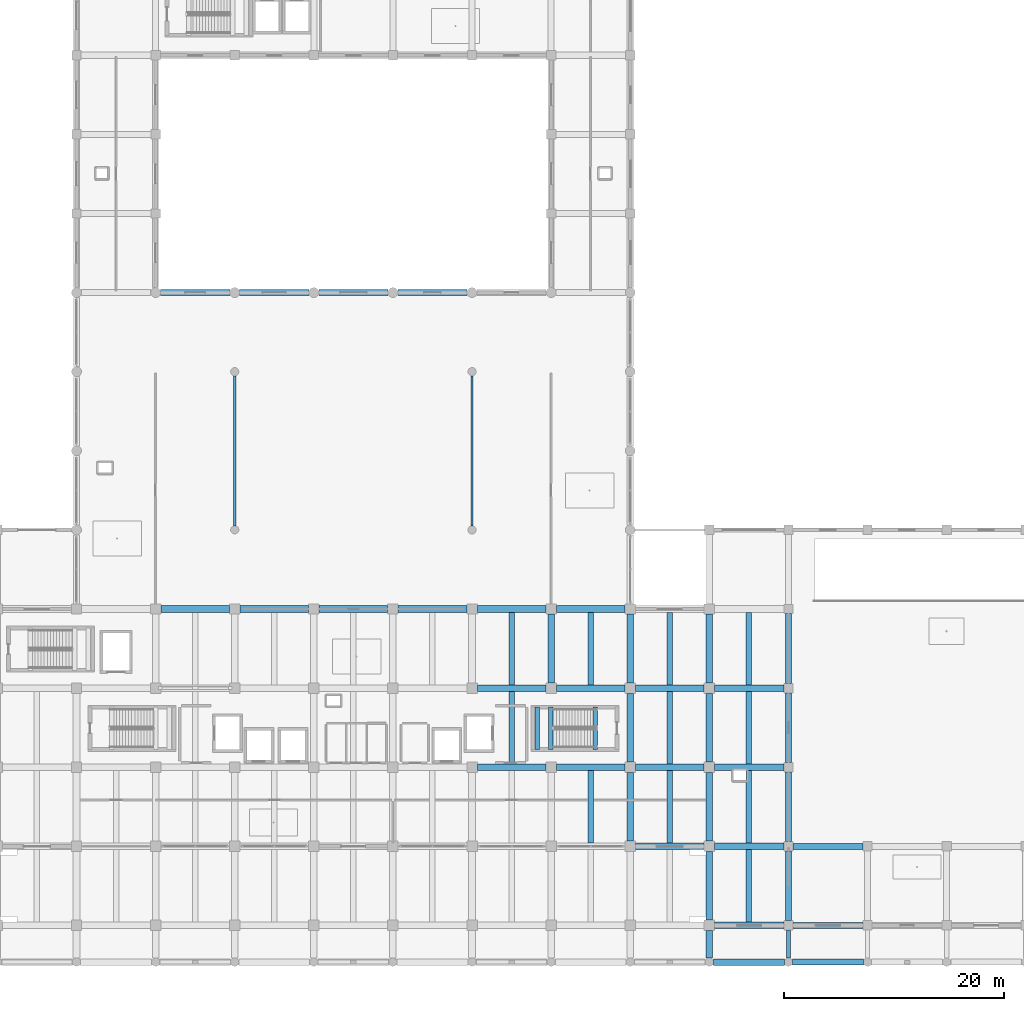
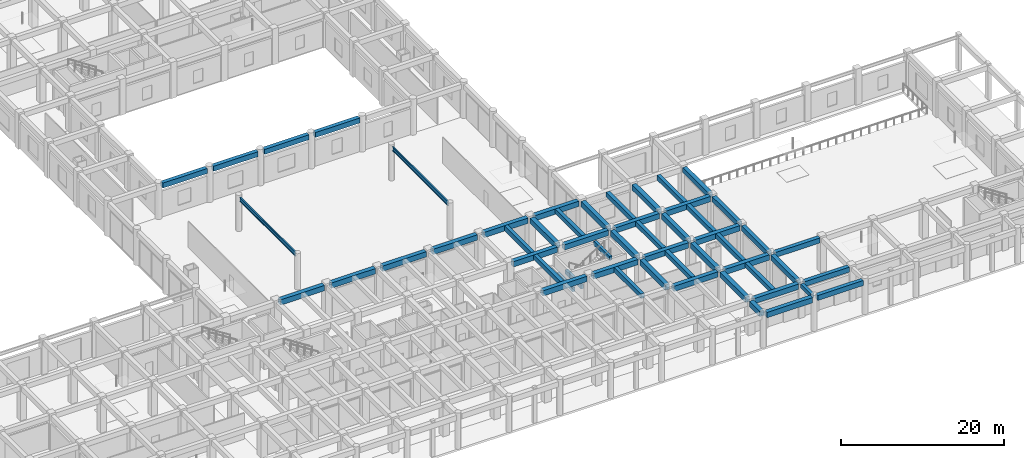
# One storey, part 15 of 56: 55 beams.
"""IFC4 building model written with IfcOpenShell, lengths in metres."""

from ifc_helpers import new_model, si_unit, direction, frame, origin, origin_2d, place, context, subcontext, project, spatial, rectangle, i_section, extrude, material, material_profile, profile_set, type_object, element, save


model = new_model("IFC4")

# Units and contexts
model_context = context("Model", 3, precision=1e-05, world=origin(), true_north=direction((0.0, 1.0)))
body_context = subcontext(model_context, "Body", "Model", "MODEL_VIEW")
ifc_project = project(units=[si_unit("LENGTHUNIT", "METRE"), si_unit("AREAUNIT", "SQUARE_METRE"), si_unit("VOLUMEUNIT", "CUBIC_METRE"), si_unit("PLANEANGLEUNIT", "RADIAN"), si_unit("MASSUNIT", "GRAM", prefix="KILO")], contexts=[model_context])

# Site, building, storey
site_placement = place(None, origin())
site = spatial("IfcSite", under=ifc_project, at=site_placement, CompositionType="ELEMENT")
building_placement = place(site_placement, origin())
building = spatial("IfcBuilding", under=site, at=building_placement, Name="Kazehaya Institute of Natural Sciences", CompositionType="ELEMENT")
storey_placement = place(building_placement, origin())
storey = spatial("IfcBuildingStorey", under=building, at=storey_placement, Name="L00", CompositionType="ELEMENT", Elevation=0.0)

# Beams
ifc_material_1 = material(Name="Concrete Fc36", Category="concrete")
ifc_material_profile_1 = material_profile(ifc_material_1, rectangle(XDim=0.39990234375, YDim=0.60009765625, at=origin_2d()), Name="RC-400x600")
ifc_profile_set_1 = profile_set([ifc_material_profile_1], Name="Concrete Fc36")
beam_type_1 = type_object("IfcBeamType", Name="BM-B-400x600", PredefinedType="BEAM", material=ifc_profile_set_1)
beam_1_placement = place(storey_placement, frame((126.60009765625, 3.824951171875, 4.830078125), z_axis=(0.0, 1.0, 0.0), x_axis=(-1.0, 0.0, 0.0)))
element("IfcBeam", 1, at=beam_1_placement, inside=storey, type_object=beam_type_1, Name="L00 primary Y girder BMY-L00-1266-34", PredefinedType="BEAM", context=body_context, shape_type="SweptSolid", body=[
    extrude(rectangle(XDim=0.39990234375, YDim=0.60009765625, at=origin_2d()), origin(), (0.0, 0.0, 1.0), 2.550048828125),
])
for number, where, z_axis, x_axis, name in (
    (2, (109.0, 22.820068359375, 5.10009765625), (0.0, 1.0, 0.0), (-1.0, 0.0, 0.0), "L01 ST-2 stair header trimmer beam"),
    (3, (103.75, 22.820068359375, 2.239990234375), (0.0, 1.0, 0.0), (-1.0, 0.0, 0.0), "L00 ST-2 landing beam 1"),
    (4, (104.969970703125, 22.820068359375, 2.239990234375), (0.0, 1.0, 0.0), (-1.0, 0.0, 0.0), "L00 ST-2 landing beam 2"),
):
    element("IfcBeam", number, at=place(storey_placement, frame(where, z_axis=z_axis, x_axis=x_axis)), inside=storey, type_object=beam_type_1, Name=name, PredefinedType="BEAM", context=body_context, shape_type="SweptSolid", body=[
        extrude(rectangle(XDim=0.39990234375, YDim=0.60009765625, at=origin_2d()), origin(), (0.0, 0.0, 1.0), 3.83984375),
    ])
ifc_material_profile_2 = material_profile(ifc_material_1, rectangle(XDim=0.550048828125, YDim=0.75, at=origin_2d()), Name="RC-550x750")
ifc_profile_set_2 = profile_set([ifc_material_profile_2], Name="Concrete Fc36")
beam_type_2 = type_object("IfcBeamType", Name="BM-G-550x750", PredefinedType="BEAM", material=ifc_profile_set_2)
beam_2_placement = place(storey_placement, frame((126.97509765625, 3.449951171875, 4.7548828125), z_axis=(1.0, 0.0, 0.0), x_axis=(0.0, 1.0, 0.0)))
element("IfcBeam", 5, at=beam_2_placement, inside=storey, type_object=beam_type_2, Name="L00 primary X girder BMX-L00-1266-34", PredefinedType="BEAM", context=body_context, shape_type="SweptSolid", body=[
    extrude(rectangle(XDim=0.550048828125, YDim=0.75, at=origin_2d()), origin(), (0.0, 0.0, 1.0), 6.449951171875),
])
for number, where, z_axis, x_axis, name in (
    (6, (127.02490234375, 6.800048828125, 4.7548828125), (1.0, 0.0, 0.0), (0.0, 1.0, 0.0), "L00 primary X girder BMX-L00-1266-68"),
    (7, (127.02490234375, 14.0, 4.7548828125), (1.0, 0.0, 0.0), (0.0, 1.0, 0.0), "L00 primary X girder BMX-L00-1266-140"),
):
    element("IfcBeam", number, at=place(storey_placement, frame(where, z_axis=z_axis, x_axis=x_axis)), inside=storey, type_object=beam_type_2, Name=name, PredefinedType="BEAM", context=body_context, shape_type="SweptSolid", body=[
        extrude(rectangle(XDim=0.550048828125, YDim=0.75, at=origin_2d()), origin(), (0.0, 0.0, 1.0), 6.35009765625),
    ])
for number, where, z_axis, x_axis, name in (
    (8, (69.449951171875, 64.39990234375, 4.7548828125), (1.0, 0.0, 0.0), (0.0, 1.0, 0.0), "L00 primary X girder BMX-L00-690-644"),
    (9, (76.64990234375, 64.39990234375, 4.7548828125), (1.0, 0.0, 0.0), (0.0, 1.0, 0.0), "L00 primary X girder BMX-L00-762-644"),
):
    element("IfcBeam", number, at=place(storey_placement, frame(where, z_axis=z_axis, x_axis=x_axis)), inside=storey, type_object=beam_type_2, Name=name, PredefinedType="BEAM", context=body_context, shape_type="SweptSolid", body=[
        extrude(rectangle(XDim=0.550048828125, YDim=0.75, at=origin_2d()), origin(), (0.0, 0.0, 1.0), 6.300048828125),
    ])
beam_3_placement = place(storey_placement, frame((83.85009765625, 64.39990234375, 4.7548828125), z_axis=(1.0, 0.0, 0.0), x_axis=(0.0, 1.0, 0.0)))
element("IfcBeam", 10, at=beam_3_placement, inside=storey, type_object=beam_type_2, Name="L00 primary X girder BMX-L00-834-644", PredefinedType="BEAM", context=body_context, shape_type="SweptSolid", body=[
    extrude(rectangle(XDim=0.550048828125, YDim=0.75, at=origin_2d()), origin(), (0.0, 0.0, 1.0), 6.2998046875),
])
beam_4_placement = place(storey_placement, frame((91.050048828125, 64.39990234375, 4.7548828125), z_axis=(1.0, 0.0, 0.0), x_axis=(0.0, 1.0, 0.0)))
element("IfcBeam", 11, at=beam_4_placement, inside=storey, type_object=beam_type_2, Name="L00 primary X girder BMX-L00-906-644", PredefinedType="BEAM", context=body_context, shape_type="SweptSolid", body=[
    extrude(rectangle(XDim=0.550048828125, YDim=0.75, at=origin_2d()), origin(), (0.0, 0.0, 1.0), 6.300048828125),
])
for number, where, z_axis, x_axis, name in (
    (12, (126.60009765625, 7.22509765625, 4.7548828125), (0.0, 1.0, 0.0), (-1.0, 0.0, 0.0), "L00 primary Y girder BMY-L00-1266-68"),
    (13, (126.60009765625, 14.425048828125, 4.7548828125), (0.0, 1.0, 0.0), (-1.0, 0.0, 0.0), "L00 primary Y girder BMY-L00-1266-140"),
):
    element("IfcBeam", number, at=place(storey_placement, frame(where, z_axis=z_axis, x_axis=x_axis)), inside=storey, type_object=beam_type_2, Name=name, PredefinedType="BEAM", context=body_context, shape_type="SweptSolid", body=[
        extrude(rectangle(XDim=0.550048828125, YDim=0.75, at=origin_2d()), origin(), (0.0, 0.0, 1.0), 6.349853515625),
    ])
for number, where, z_axis, x_axis, name in (
    (14, (126.60009765625, 21.625, 4.7548828125), (0.0, 1.0, 0.0), (-1.0, 0.0, 0.0), "L00 primary Y girder BMY-L00-1266-212"),
    (15, (126.60009765625, 28.824951171875, 4.7548828125), (0.0, 1.0, 0.0), (-1.0, 0.0, 0.0), "L00 primary Y girder BMY-L00-1266-284"),
):
    element("IfcBeam", number, at=place(storey_placement, frame(where, z_axis=z_axis, x_axis=x_axis)), inside=storey, type_object=beam_type_2, Name=name, PredefinedType="BEAM", context=body_context, shape_type="SweptSolid", body=[
        extrude(rectangle(XDim=0.550048828125, YDim=0.75, at=origin_2d()), origin(), (0.0, 0.0, 1.0), 6.35009765625),
    ])
ifc_material_profile_3 = material_profile(ifc_material_1, rectangle(XDim=0.60009765625, YDim=0.800048828125, at=origin_2d()), Name="RC-600x800")
ifc_profile_set_3 = profile_set([ifc_material_profile_3], Name="Concrete Fc36")
beam_type_3 = type_object("IfcBeamType", Name="BM-G-600x800", PredefinedType="BEAM", material=ifc_profile_set_3)
beam_5_placement = place(storey_placement, frame((119.77490234375, 3.449951171875, 4.72998046875), z_axis=(1.0, 0.0, 0.0), x_axis=(0.0, 1.0, 0.0)))
element("IfcBeam", 16, at=beam_5_placement, inside=storey, type_object=beam_type_3, Name="L00 primary X girder BMX-L00-1194-34", PredefinedType="BEAM", context=body_context, shape_type="SweptSolid", body=[
    extrude(rectangle(XDim=0.60009765625, YDim=0.800048828125, at=origin_2d()), origin(), (0.0, 0.0, 1.0), 6.4501953125),
])
beam_6_placement = place(storey_placement, frame((119.875, 6.800048828125, 4.72998046875), z_axis=(1.0, 0.0, 0.0), x_axis=(0.0, 1.0, 0.0)))
element("IfcBeam", 17, at=beam_6_placement, inside=storey, type_object=beam_type_3, Name="L00 primary X girder BMX-L00-1194-68", PredefinedType="BEAM", context=body_context, shape_type="SweptSolid", body=[
    extrude(rectangle(XDim=0.60009765625, YDim=0.800048828125, at=origin_2d()), origin(), (0.0, 0.0, 1.0), 6.300048828125),
])
beam_7_placement = place(storey_placement, frame((112.675048828125, 14.0, 4.72998046875), z_axis=(1.0, 0.0, 0.0), x_axis=(0.0, 1.0, 0.0)))
element("IfcBeam", 18, at=beam_7_placement, inside=storey, type_object=beam_type_3, Name="L00 primary X girder BMX-L00-1122-140", PredefinedType="BEAM", context=body_context, shape_type="SweptSolid", body=[
    extrude(rectangle(XDim=0.60009765625, YDim=0.800048828125, at=origin_2d()), origin(), (0.0, 0.0, 1.0), 6.25),
])
beam_8_placement = place(storey_placement, frame((119.875, 14.0, 4.72998046875), z_axis=(1.0, 0.0, 0.0), x_axis=(0.0, 1.0, 0.0)))
element("IfcBeam", 19, at=beam_8_placement, inside=storey, type_object=beam_type_3, Name="L00 primary X girder BMX-L00-1194-140", PredefinedType="BEAM", context=body_context, shape_type="SweptSolid", body=[
    extrude(rectangle(XDim=0.60009765625, YDim=0.800048828125, at=origin_2d()), origin(), (0.0, 0.0, 1.0), 6.300048828125),
])
for number, where, z_axis, x_axis, name in (
    (20, (98.27490234375, 21.199951171875, 4.72998046875), (1.0, 0.0, 0.0), (0.0, 1.0, 0.0), "L00 primary X girder BMX-L00-978-212"),
    (21, (105.47509765625, 21.199951171875, 4.72998046875), (1.0, 0.0, 0.0), (0.0, 1.0, 0.0), "L00 primary X girder BMX-L00-1050-212"),
    (22, (112.675048828125, 21.199951171875, 4.72998046875), (1.0, 0.0, 0.0), (0.0, 1.0, 0.0), "L00 primary X girder BMX-L00-1122-212"),
):
    element("IfcBeam", number, at=place(storey_placement, frame(where, z_axis=z_axis, x_axis=x_axis)), inside=storey, type_object=beam_type_3, Name=name, PredefinedType="BEAM", context=body_context, shape_type="SweptSolid", body=[
        extrude(rectangle(XDim=0.60009765625, YDim=0.800048828125, at=origin_2d()), origin(), (0.0, 0.0, 1.0), 6.25),
    ])
beam_9_placement = place(storey_placement, frame((119.875, 21.199951171875, 4.72998046875), z_axis=(1.0, 0.0, 0.0), x_axis=(0.0, 1.0, 0.0)))
element("IfcBeam", 23, at=beam_9_placement, inside=storey, type_object=beam_type_3, Name="L00 primary X girder BMX-L00-1194-212", PredefinedType="BEAM", context=body_context, shape_type="SweptSolid", body=[
    extrude(rectangle(XDim=0.60009765625, YDim=0.800048828125, at=origin_2d()), origin(), (0.0, 0.0, 1.0), 6.300048828125),
])
for number, where, z_axis, x_axis, name in (
    (24, (98.27490234375, 28.39990234375, 4.72998046875), (1.0, 0.0, 0.0), (0.0, 1.0, 0.0), "L00 primary X girder BMX-L00-978-284"),
    (25, (105.47509765625, 28.39990234375, 4.72998046875), (1.0, 0.0, 0.0), (0.0, 1.0, 0.0), "L00 primary X girder BMX-L00-1050-284"),
    (26, (112.675048828125, 28.39990234375, 4.72998046875), (1.0, 0.0, 0.0), (0.0, 1.0, 0.0), "L00 primary X girder BMX-L00-1122-284"),
):
    element("IfcBeam", number, at=place(storey_placement, frame(where, z_axis=z_axis, x_axis=x_axis)), inside=storey, type_object=beam_type_3, Name=name, PredefinedType="BEAM", context=body_context, shape_type="SweptSolid", body=[
        extrude(rectangle(XDim=0.60009765625, YDim=0.800048828125, at=origin_2d()), origin(), (0.0, 0.0, 1.0), 6.25),
    ])
beam_10_placement = place(storey_placement, frame((119.875, 28.39990234375, 4.72998046875), z_axis=(1.0, 0.0, 0.0), x_axis=(0.0, 1.0, 0.0)))
element("IfcBeam", 27, at=beam_10_placement, inside=storey, type_object=beam_type_3, Name="L00 primary X girder BMX-L00-1194-284", PredefinedType="BEAM", context=body_context, shape_type="SweptSolid", body=[
    extrude(rectangle(XDim=0.60009765625, YDim=0.800048828125, at=origin_2d()), origin(), (0.0, 0.0, 1.0), 6.300048828125),
])
for number, where, z_axis, x_axis, name in (
    (28, (69.47509765625, 35.60009765625, 4.72998046875), (1.0, 0.0, 0.0), (0.0, 1.0, 0.0), "L00 primary X girder BMX-L00-690-356"),
    (29, (76.675048828125, 35.60009765625, 4.72998046875), (1.0, 0.0, 0.0), (0.0, 1.0, 0.0), "L00 primary X girder BMX-L00-762-356"),
    (30, (83.875, 35.60009765625, 4.72998046875), (1.0, 0.0, 0.0), (0.0, 1.0, 0.0), "L00 primary X girder BMX-L00-834-356"),
    (31, (91.074951171875, 35.60009765625, 4.72998046875), (1.0, 0.0, 0.0), (0.0, 1.0, 0.0), "L00 primary X girder BMX-L00-906-356"),
    (32, (98.27490234375, 35.60009765625, 4.72998046875), (1.0, 0.0, 0.0), (0.0, 1.0, 0.0), "L00 primary X girder BMX-L00-978-356"),
    (33, (105.47509765625, 35.60009765625, 4.72998046875), (1.0, 0.0, 0.0), (0.0, 1.0, 0.0), "L00 primary X girder BMX-L00-1050-356"),
    (34, (105.0, 28.875, 4.72998046875), (0.0, 1.0, 0.0), (-1.0, 0.0, 0.0), "L00 primary Y girder BMY-L00-1050-284"),
    (35, (112.199951171875, 14.47509765625, 4.72998046875), (0.0, 1.0, 0.0), (-1.0, 0.0, 0.0), "L00 primary Y girder BMY-L00-1122-140"),
    (36, (112.199951171875, 21.675048828125, 4.72998046875), (0.0, 1.0, 0.0), (-1.0, 0.0, 0.0), "L00 primary Y girder BMY-L00-1122-212"),
    (37, (112.199951171875, 28.875, 4.72998046875), (0.0, 1.0, 0.0), (-1.0, 0.0, 0.0), "L00 primary Y girder BMY-L00-1122-284"),
):
    element("IfcBeam", number, at=place(storey_placement, frame(where, z_axis=z_axis, x_axis=x_axis)), inside=storey, type_object=beam_type_3, Name=name, PredefinedType="BEAM", context=body_context, shape_type="SweptSolid", body=[
        extrude(rectangle(XDim=0.60009765625, YDim=0.800048828125, at=origin_2d()), origin(), (0.0, 0.0, 1.0), 6.25),
    ])
beam_11_placement = place(storey_placement, frame((119.39990234375, 3.824951171875, 4.72998046875), z_axis=(0.0, 1.0, 0.0), x_axis=(-1.0, 0.0, 0.0)))
element("IfcBeam", 38, at=beam_11_placement, inside=storey, type_object=beam_type_3, Name="L00 primary Y girder BMY-L00-1194-34", PredefinedType="BEAM", context=body_context, shape_type="SweptSolid", body=[
    extrude(rectangle(XDim=0.60009765625, YDim=0.800048828125, at=origin_2d()), origin(), (0.0, 0.0, 1.0), 2.5),
])
for number, where, z_axis, x_axis, name in (
    (39, (119.39990234375, 7.27490234375, 4.72998046875), (0.0, 1.0, 0.0), (-1.0, 0.0, 0.0), "L00 primary Y girder BMY-L00-1194-68"),
    (40, (119.39990234375, 14.47509765625, 4.72998046875), (0.0, 1.0, 0.0), (-1.0, 0.0, 0.0), "L00 primary Y girder BMY-L00-1194-140"),
    (41, (119.39990234375, 21.675048828125, 4.72998046875), (0.0, 1.0, 0.0), (-1.0, 0.0, 0.0), "L00 primary Y girder BMY-L00-1194-212"),
    (42, (119.39990234375, 28.875, 4.72998046875), (0.0, 1.0, 0.0), (-1.0, 0.0, 0.0), "L00 primary Y girder BMY-L00-1194-284"),
):
    element("IfcBeam", number, at=place(storey_placement, frame(where, z_axis=z_axis, x_axis=x_axis)), inside=storey, type_object=beam_type_3, Name=name, PredefinedType="BEAM", context=body_context, shape_type="SweptSolid", body=[
        extrude(rectangle(XDim=0.60009765625, YDim=0.800048828125, at=origin_2d()), origin(), (0.0, 0.0, 1.0), 6.25),
    ])
ifc_material_profile_4 = material_profile(ifc_material_1, rectangle(XDim=0.5, YDim=0.699951171875, at=origin_2d()), Name="RC-500x700")
ifc_profile_set_4 = profile_set([ifc_material_profile_4], Name="Concrete Fc36")
beam_type_4 = type_object("IfcBeamType", Name="BM-J-500x700", PredefinedType="JOIST", material=ifc_profile_set_4)
for number, where, z_axis, x_axis, name in (
    (43, (123.0, 7.10009765625, 4.780029296875), (0.0, 1.0, 0.0), (-1.0, 0.0, 0.0), "L00 secondary lab beam JST-L00-0010"),
    (44, (108.60009765625, 14.300048828125, 4.780029296875), (0.0, 1.0, 0.0), (-1.0, 0.0, 0.0), "L00 secondary lab beam JST-L00-0018"),
    (45, (115.800048828125, 14.300048828125, 4.780029296875), (0.0, 1.0, 0.0), (-1.0, 0.0, 0.0), "L00 secondary lab beam JST-L00-0019"),
    (46, (123.0, 14.300048828125, 4.780029296875), (0.0, 1.0, 0.0), (-1.0, 0.0, 0.0), "L00 secondary lab beam JST-L00-0020"),
):
    element("IfcBeam", number, at=place(storey_placement, frame(where, z_axis=z_axis, x_axis=x_axis)), inside=storey, type_object=beam_type_4, Name=name, PredefinedType="JOIST", context=body_context, shape_type="SweptSolid", body=[
        extrude(rectangle(XDim=0.5, YDim=0.699951171875, at=origin_2d()), origin(), (0.0, 0.0, 1.0), 6.599853515625),
    ])
for number, where, z_axis, x_axis, name in (
    (47, (101.39990234375, 21.5, 4.780029296875), (0.0, 1.0, 0.0), (-1.0, 0.0, 0.0), "L00 secondary lab beam JST-L00-0024"),
    (48, (115.800048828125, 21.5, 4.780029296875), (0.0, 1.0, 0.0), (-1.0, 0.0, 0.0), "L00 secondary lab beam JST-L00-0025"),
    (49, (123.0, 21.5, 4.780029296875), (0.0, 1.0, 0.0), (-1.0, 0.0, 0.0), "L00 secondary lab beam JST-L00-0026"),
    (50, (101.39990234375, 28.699951171875, 4.780029296875), (0.0, 1.0, 0.0), (-1.0, 0.0, 0.0), "L00 secondary lab beam JST-L00-0031"),
    (51, (108.60009765625, 28.699951171875, 4.780029296875), (0.0, 1.0, 0.0), (-1.0, 0.0, 0.0), "L00 secondary lab beam JST-L00-0032"),
    (52, (115.800048828125, 28.699951171875, 4.780029296875), (0.0, 1.0, 0.0), (-1.0, 0.0, 0.0), "L00 secondary lab beam JST-L00-0033"),
    (53, (123.0, 28.699951171875, 4.780029296875), (0.0, 1.0, 0.0), (-1.0, 0.0, 0.0), "L00 secondary lab beam JST-L00-0034"),
):
    element("IfcBeam", number, at=place(storey_placement, frame(where, z_axis=z_axis, x_axis=x_axis)), inside=storey, type_object=beam_type_4, Name=name, PredefinedType="JOIST", context=body_context, shape_type="SweptSolid", body=[
        extrude(rectangle(XDim=0.5, YDim=0.699951171875, at=origin_2d()), origin(), (0.0, 0.0, 1.0), 6.60009765625),
    ])
ifc_material_2 = material(Name="Structural steel SN490B", Category="steel")
ifc_material_profile_5 = material_profile(ifc_material_2, i_section(OverallWidth=0.199951171875, OverallDepth=0.60009765625, WebThickness=0.010986328125, FlangeThickness=0.01708984375, FilletRadius=0.01806640625, at=origin_2d()), Name="H-600x200x11x17")
ifc_profile_set_5 = profile_set([ifc_material_profile_5], Name="Structural steel SN490B")
beam_type_5 = type_object("IfcBeamType", Name="BM-STL-H600", PredefinedType="BEAM", material=ifc_profile_set_5)
for number, where, z_axis, x_axis, name in (
    (54, (76.199951171875, 43.175048828125, 4.830078125), (0.0, 1.0, 0.0), (-1.0, 0.0, 0.0), "L01 atrium gallery walkway girder 693"),
    (55, (97.800048828125, 43.175048828125, 4.830078125), (0.0, 1.0, 0.0), (-1.0, 0.0, 0.0), "L01 atrium gallery walkway girder 694"),
):
    element("IfcBeam", number, at=place(storey_placement, frame(where, z_axis=z_axis, x_axis=x_axis)), inside=storey, type_object=beam_type_5, Name=name, PredefinedType="BEAM", context=body_context, shape_type="SweptSolid", body=[
        extrude(i_section(OverallWidth=0.199951171875, OverallDepth=0.60009765625, WebThickness=0.010986328125, FlangeThickness=0.01708984375, FilletRadius=0.01806640625, at=origin_2d()), origin(), (0.0, 0.0, 1.0), 13.64990234375),
    ])

save(model, "model.ifc")
